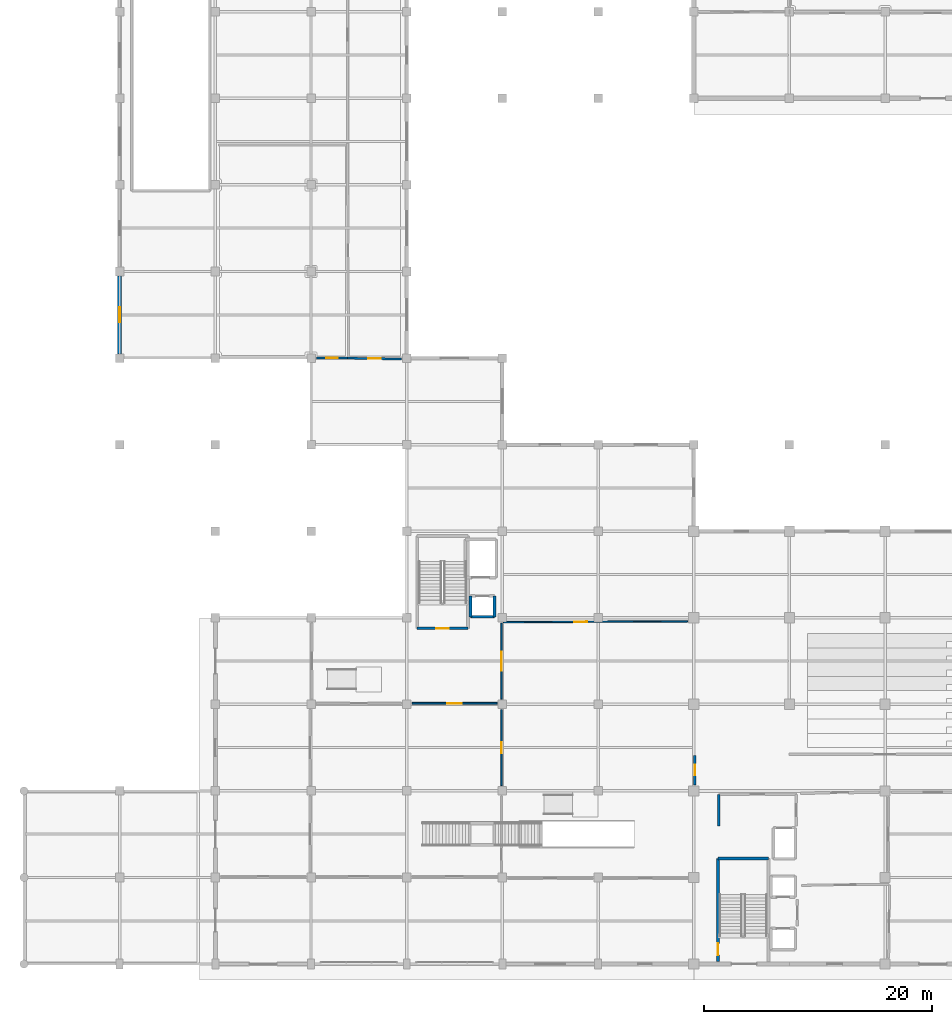
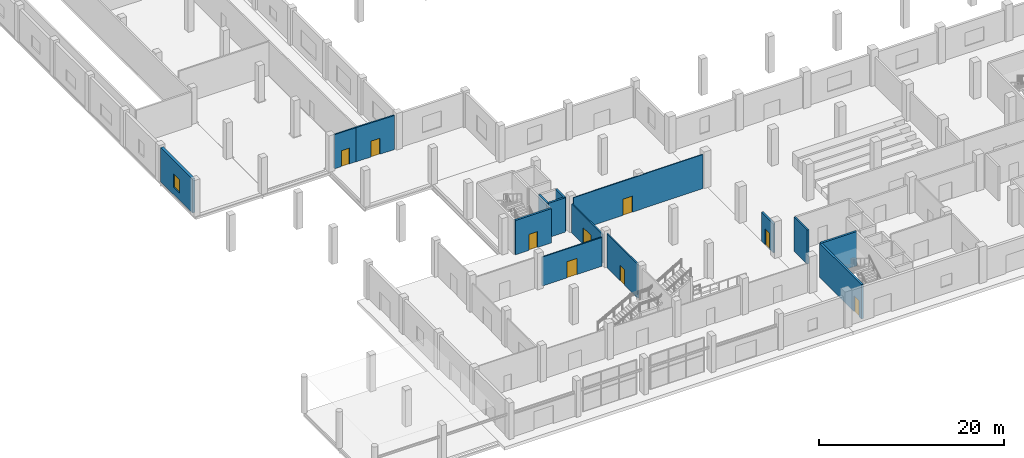
# One storey, part 16 of 36: 15 walls, 9 doors, 1 window, 10 openings.
"""IFC4 building model written with IfcOpenShell, lengths in metres."""

from ifc_helpers import new_model, si_unit, direction, frame, frame_2d, origin, place, context, subcontext, project, spatial, rectangle, extrude, material, layer, layer_set, type_object, element, fill, save


model = new_model("IFC4")

# Units and contexts
model_context = context("Model", 3, precision=1e-05, world=origin(), true_north=direction((0.0, 1.0)))
body_context = subcontext(model_context, "Body", "Model", "MODEL_VIEW")
ifc_project = project(units=[si_unit("LENGTHUNIT", "METRE"), si_unit("AREAUNIT", "SQUARE_METRE"), si_unit("VOLUMEUNIT", "CUBIC_METRE"), si_unit("PLANEANGLEUNIT", "RADIAN"), si_unit("MASSUNIT", "GRAM", prefix="KILO")], contexts=[model_context])

# Site, building, storey
site_placement = place(None, origin())
site = spatial("IfcSite", under=ifc_project, at=site_placement, CompositionType="ELEMENT")
building_placement = place(site_placement, origin())
building = spatial("IfcBuilding", under=site, at=building_placement, Name="Zuvorla Pavilion Media Centre", CompositionType="ELEMENT")
storey_placement = place(building_placement, origin())
storey = spatial("IfcBuildingStorey", under=building, at=storey_placement, Name="L00", CompositionType="ELEMENT", Elevation=0.0)

# Wall
ifc_material_1 = material(Name="Acoustic masonry blockwork C32/40", Category="masonry")
ifc_layer_1 = layer(ifc_material_1, 0.219970703125)
ifc_layer_set_1 = layer_set([ifc_layer_1], Name="Acoustic masonry blockwork C32/40")
wall_type_1 = type_object("IfcWallType", Name="WL-CMP-220", PredefinedType="SOLIDWALL", material=ifc_layer_set_1)
wall_1_placement = place(storey_placement, frame((69.0, 18.10009765625, 0.0), z_axis=(0.0, 0.0, 1.0), x_axis=(0.0, 1.0, 0.0)))
element("IfcWall", 1, at=wall_1_placement, inside=storey, type_object=wall_type_1, Name="L00 solid wall IW22 16", PredefinedType="SOLIDWALL", context=body_context, shape_type="SweptSolid", body=[
    extrude(rectangle(XDim=2.7998046875, YDim=0.219970703125, at=frame_2d((1.39990234375, 0.0))), origin(), (0.0, 0.0, 1.0), 4.5),
])

# Wall, opening, door
wall_2_placement = place(storey_placement, frame((66.890380859375, 21.739990234375, 0.0), z_axis=(0.0, 0.0, 1.0), x_axis=(0.003406490455, 0.999994197895, 0.0)))
wall_2 = element("IfcWall", 2, at=wall_2_placement, inside=storey, type_object=wall_type_1, Name="L00 solid wall IW22 388", PredefinedType="SOLIDWALL", context=body_context, shape_type="SweptSolid", body=[
    extrude(rectangle(XDim=2.580078125, YDim=0.219970703125, at=frame_2d((1.2900390625, 0.0))), origin(), (0.0, 0.0, 1.0), 3.810302734375),
])
opening_1_placement = place(wall_2_placement, frame((0.81494140625, 0.0, 0.0)))
opening_1 = element("IfcOpeningElement", 3, at=opening_1_placement, cuts=wall_2, Name="Opening FD02", PredefinedType="OPENING", context=body_context, shape_type="SweptSolid", body=[
    extrude(rectangle(XDim=0.949951171875, YDim=2.10009765625, at=frame_2d((0.47509765625, 1.050048828125))), frame((0.0, 0.119873046875, 0.0), z_axis=(0.0, -1.0, 0.0), x_axis=(1.0, 0.0, 0.0)), (0.0, 0.0, 1.0), 0.239990234375),
])
ifc_material_2 = material(Name="Acoustic timber fire door leaf in steel frame", Category="steel")
door_type_1 = type_object("IfcDoorType", Name="DR-INT-FD02", OperationType="NOTDEFINED", PredefinedType="DOOR", material=ifc_material_2)
door_1_placement = place(opening_1_placement, origin())
door_1 = element("IfcDoor", 4, at=door_1_placement, inside=storey, type_object=door_type_1, Name="Interior door FD02 132", OperationType="SINGLE_SWING_RIGHT", OverallHeight=2.10009765625, OverallWidth=0.949951171875, PredefinedType="DOOR", context=body_context, shape_type="SweptSolid", body=[
    extrude(rectangle(XDim=0.949951171875, YDim=2.10009765625, at=frame_2d((0.47509765625, 1.050048828125))), frame((0.0, 0.02490234375, 0.0), z_axis=(0.0, -1.0, 0.0), x_axis=(1.0, 0.0, 0.0)), (0.0, 0.0, 1.0), 0.050048828125),
])
fill(opening_1, door_1)

ifc_material_3 = material(Name="Concrete C40/50", Category="concrete")
ifc_layer_2 = layer(ifc_material_3, 0.25)
ifc_layer_set_2 = layer_set([ifc_layer_2], Name="Concrete C40/50")
wall_type_2 = type_object("IfcWallType", Name="WL-COR-250", PredefinedType="SHEAR", material=ifc_layer_set_2)
wall_3_placement = place(storey_placement, frame((68.925048828125, 6.22509765625, 0.0), z_axis=(0.0, 0.0, 1.0), x_axis=(0.0, 1.0, 0.0)))
wall_3 = element("IfcWall", 5, at=wall_3_placement, inside=storey, type_object=wall_type_2, Name="L00 shear wall CW25 12", PredefinedType="SHEAR", context=body_context, shape_type="SweptSolid", body=[
    extrude(rectangle(XDim=9.0498046875, YDim=0.25, at=frame_2d((4.52490234375, 0.0))), origin(), (0.0, 0.0, 1.0), 4.52001953125),
])
opening_2_placement = place(wall_3_placement, frame((0.550048828125, 0.0, 0.0)))
opening_2 = element("IfcOpeningElement", 6, at=opening_2_placement, cuts=wall_3, Name="Opening FD04", PredefinedType="OPENING", context=body_context, shape_type="SweptSolid", body=[
    extrude(rectangle(XDim=1.050048828125, YDim=2.10009765625, at=frame_2d((0.52490234375, 1.050048828125))), frame((0.0, 0.135009765625, 0.0), z_axis=(0.0, -1.0, 0.0), x_axis=(1.0, 0.0, 0.0)), (0.0, 0.0, 1.0), 0.27001953125),
])
door_type_2 = type_object("IfcDoorType", Name="DR-INT-FD04", OperationType="NOTDEFINED", PredefinedType="DOOR", material=ifc_material_2)
door_2_placement = place(opening_2_placement, origin())
door_2 = element("IfcDoor", 7, at=door_2_placement, inside=storey, type_object=door_type_2, Name="Stair ST-01 fire door FD04 5", OperationType="SINGLE_SWING_LEFT", OverallHeight=2.10009765625, OverallWidth=1.050048828125, PredefinedType="DOOR", context=body_context, shape_type="SweptSolid", body=[
    extrude(rectangle(XDim=1.050048828125, YDim=2.10009765625, at=frame_2d((0.52490234375, 1.050048828125))), frame((0.0, 0.02490234375, 0.0), z_axis=(0.0, -1.0, 0.0), x_axis=(1.0, 0.0, 0.0)), (0.0, 0.0, 1.0), 0.050048828125),
])
fill(opening_2, door_2)

# Wall
wall_4_placement = place(storey_placement, frame((68.925048828125, 15.27490234375, 0.0), z_axis=(0.0, 0.0, 1.0), x_axis=(1.0, 0.0, 0.0)))
element("IfcWall", 8, at=wall_4_placement, inside=storey, type_object=wall_type_2, Name="L00 shear wall CW25 14", PredefinedType="SHEAR", context=body_context, shape_type="SweptSolid", body=[
    extrude(rectangle(XDim=4.449951171875, YDim=0.25, at=frame_2d((2.22509765625, 0.0))), origin(), (0.0, 0.0, 1.0), 4.52001953125),
])

# Wall, opening, door
wall_5_placement = place(storey_placement, frame((42.52490234375, 35.47509765625, 0.0), z_axis=(0.0, 0.0, 1.0), x_axis=(1.0, 0.0, 0.0)))
wall_5 = element("IfcWall", 9, at=wall_5_placement, inside=storey, type_object=wall_type_2, Name="L00 shear wall CW25 244", PredefinedType="SHEAR", context=body_context, shape_type="SweptSolid", body=[
    extrude(rectangle(XDim=4.4501953125, YDim=0.25, at=frame_2d((2.22509765625, 0.0))), origin(), (0.0, 0.0, 1.0), 4.52001953125),
])
opening_3_placement = place(wall_5_placement, frame((1.64990234375, 0.0, 0.0)))
opening_3 = element("IfcOpeningElement", 10, at=opening_3_placement, cuts=wall_5, Name="Opening FD05", PredefinedType="OPENING", context=body_context, shape_type="SweptSolid", body=[
    extrude(rectangle(XDim=1.10009765625, YDim=2.10009765625, at=frame_2d((0.550048828125, 1.050048828125))), frame((0.0, 0.135009765625, 0.0), z_axis=(0.0, -1.0, 0.0), x_axis=(1.0, 0.0, 0.0)), (0.0, 0.0, 1.0), 0.27001953125),
])
door_type_3 = type_object("IfcDoorType", Name="DR-INT-FD05", OperationType="NOTDEFINED", PredefinedType="DOOR", material=ifc_material_2)
door_3_placement = place(opening_3_placement, frame((1.10009765625, 0.0, 0.0), z_axis=(0.0, 0.0, 1.0), x_axis=(-1.0, 0.0, 0.0)))
door_3 = element("IfcDoor", 11, at=door_3_placement, inside=storey, type_object=door_type_3, Name="Stair ST-03 fire door FD05 90", OperationType="SINGLE_SWING_RIGHT", OverallHeight=2.10009765625, OverallWidth=1.10009765625, PredefinedType="DOOR", context=body_context, shape_type="SweptSolid", body=[
    extrude(rectangle(XDim=1.10009765625, YDim=2.10009765625, at=frame_2d((0.550048828125, 1.050048828125))), frame((0.0, 0.02490234375, 0.0), z_axis=(0.0, -1.0, 0.0), x_axis=(1.0, 0.0, 0.0)), (0.0, 0.0, 1.0), 0.050048828125),
])
fill(opening_3, door_3)

# Walls
wall_6_placement = place(storey_placement, frame((47.18994140625, 36.489990234375, 0.0), z_axis=(0.0, 0.0, 1.0), x_axis=(1.0, 0.0, 0.0)))
element("IfcWall", 12, at=wall_6_placement, inside=storey, type_object=wall_type_2, Name="L00 shear wall CW25 265", PredefinedType="SHEAR", context=body_context, shape_type="SweptSolid", body=[
    extrude(rectangle(XDim=2.1201171875, YDim=0.25, at=frame_2d((1.06005859375, 0.0))), origin(), (0.0, 0.0, 1.0), 4.52001953125),
])
for number, where, z_axis, x_axis, name in (
    (13, (47.18994140625, 36.489990234375, 0.0), (0.0, 0.0, 1.0), (0.0, 1.0, 0.0), "L00 shear wall CW25 267"),
    (14, (49.31005859375, 36.489990234375, 0.0), (0.0, 0.0, 1.0), (0.0, 1.0, 0.0), "L00 shear wall CW25 268"),
):
    element("IfcWall", number, at=place(storey_placement, frame(where, z_axis=z_axis, x_axis=x_axis)), inside=storey, type_object=wall_type_2, Name=name, PredefinedType="SHEAR", context=body_context, shape_type="SweptSolid", body=[
        extrude(rectangle(XDim=1.820068359375, YDim=0.25, at=frame_2d((0.91015625, 0.0))), origin(), (0.0, 0.0, 1.0), 4.52001953125),
    ])

# Wall, opening, window
ifc_material_4 = material(Name="White rendered concrete C32/40", Category="concrete")
ifc_layer_3 = layer(ifc_material_4, 0.340087890625)
ifc_layer_set_3 = layer_set([ifc_layer_3], Name="White rendered concrete C32/40")
wall_type_3 = type_object("IfcWallType", Name="WL-EXT-340", PredefinedType="SOLIDWALL", material=ifc_layer_set_3)
wall_7_placement = place(storey_placement, frame((16.39990234375, 66.425048828125, 0.0), z_axis=(0.0, 0.0, 1.0), x_axis=(0.0, -1.0, 0.0)))
wall_7 = element("IfcWall", 15, at=wall_7_placement, inside=storey, type_object=wall_type_3, Name="L00 exterior solid wall EW02 155", PredefinedType="SOLIDWALL", context=body_context, shape_type="SweptSolid", body=[
    extrude(rectangle(XDim=6.85009765625, YDim=0.340087890625, at=frame_2d((3.425048828125, 0.0))), origin(), (0.0, 0.0, 1.0), 4.5),
])
opening_4_placement = place(wall_7_placement, frame((2.75, 0.0, 0.949951171875)))
opening_4 = element("IfcOpeningElement", 16, at=opening_4_placement, cuts=wall_7, Name="Opening WN09", PredefinedType="OPENING", context=body_context, shape_type="SweptSolid", body=[
    extrude(rectangle(XDim=1.35009765625, YDim=1.800048828125, at=frame_2d((0.675048828125, 0.89990234375))), frame((0.0, 0.179931640625, 0.0), z_axis=(0.0, -1.0, 0.0), x_axis=(1.0, 0.0, 0.0)), (0.0, 0.0, 1.0), 0.360107421875),
])
ifc_material_5 = material(Name="Anodised aluminium frame with solar double glazing", Category="aluminium")
window_type = type_object("IfcWindowType", Name="WIN-WN09", PartitioningType="SINGLE_PANEL", PredefinedType="WINDOW", material=ifc_material_5)
window_placement = place(opening_4_placement, origin())
window = element("IfcWindow", 17, at=window_placement, inside=storey, type_object=window_type, Name="L00 window WN09 37", OverallHeight=1.800048828125, OverallWidth=1.35009765625, PartitioningType="SINGLE_PANEL", PredefinedType="WINDOW", context=body_context, shape_type="SweptSolid", body=[
    extrude(rectangle(XDim=1.35009765625, YDim=1.800048828125, at=frame_2d((0.675048828125, 0.89990234375))), frame((0.0, 0.030029296875, 0.0), z_axis=(0.0, -1.0, 0.0), x_axis=(1.0, 0.0, 0.0)), (0.0, 0.0, 1.0), 0.06005859375),
])
fill(opening_4, window)

# Wall, opening, door
ifc_material_6 = material(Name="Lightweight gypsum partition")
ifc_layer_4 = layer(ifc_material_6, 0.1201171875)
ifc_layer_set_4 = layer_set([ifc_layer_4], Name="Lightweight gypsum partition")
wall_type_4 = type_object("IfcWallType", Name="WL-PRT-120", PredefinedType="PARTITIONING", material=ifc_layer_set_4)
wall_8_placement = place(storey_placement, frame((66.260009765625, 36.089599609375, 0.0), z_axis=(0.0, 0.0, 1.0), x_axis=(-0.999989479484, -0.004587038489, 0.0)))
wall_8 = element("IfcWall", 18, at=wall_8_placement, inside=storey, type_object=wall_type_4, Name="L00 partition PT12 392", PredefinedType="PARTITIONING", context=body_context, shape_type="SweptSolid", body=[
    extrude(rectangle(XDim=16.18017578125, YDim=0.1201171875, at=frame_2d((8.090087890625, 0.0))), origin(), (0.0, 0.0, 1.0), 4.5),
])
opening_5_placement = place(wall_8_placement, frame((8.815185546875, 0.0, 0.0)))
opening_5 = element("IfcOpeningElement", 19, at=opening_5_placement, cuts=wall_8, Name="Opening ID06", PredefinedType="OPENING", context=body_context, shape_type="SweptSolid", body=[
    extrude(rectangle(XDim=1.14990234375, YDim=2.1201171875, at=frame_2d((0.574951171875, 1.06005859375))), frame((0.0, 0.070068359375, 0.0), z_axis=(0.0, -1.0, 0.0), x_axis=(1.0, 0.0, 0.0)), (0.0, 0.0, 1.0), 0.14013671875),
])
ifc_material_7 = material(Name="Hardwood acoustic studio door in anodised frame", Category="wood")
door_type_4 = type_object("IfcDoorType", Name="DR-UNR-ID06", OperationType="NOTDEFINED", PredefinedType="DOOR", material=ifc_material_7)
door_4_placement = place(opening_5_placement, origin())
door_4 = element("IfcDoor", 20, at=door_4_placement, inside=storey, type_object=door_type_4, Name="Interior door ID06 136", OperationType="SINGLE_SWING_LEFT", OverallHeight=2.1201171875, OverallWidth=1.14990234375, PredefinedType="DOOR", context=body_context, shape_type="SweptSolid", body=[
    extrude(rectangle(XDim=1.14990234375, YDim=2.1201171875, at=frame_2d((0.574951171875, 1.06005859375))), frame((0.0, 0.02490234375, 0.0), z_axis=(0.0, -1.0, 0.0), x_axis=(1.0, 0.0, 0.0)), (0.0, 0.0, 1.0), 0.050048828125),
])
fill(opening_5, door_4)

ifc_material_8 = material(Name="Acoustic gypsum stud partition")
ifc_layer_5 = layer(ifc_material_8, 0.14990234375)
ifc_layer_set_5 = layer_set([ifc_layer_5], Name="Acoustic gypsum stud partition")
wall_type_5 = type_object("IfcWallType", Name="WL-PRT-150", PredefinedType="PARTITIONING", material=ifc_layer_set_5)
wall_9_placement = place(storey_placement, frame((49.910400390625, 35.919921875, 0.0), z_axis=(0.0, 0.0, 1.0), x_axis=(-7.3370263e-05, -0.999999997308, 0.0)))
wall_9 = element("IfcWall", 21, at=wall_9_placement, inside=storey, type_object=wall_type_5, Name="L00 partition PT15 405", PredefinedType="PARTITIONING", context=body_context, shape_type="SweptSolid", body=[
    extrude(rectangle(XDim=6.655029296875, YDim=0.14990234375, at=frame_2d((3.32763671875, 0.0))), origin(), (0.0, 0.0, 1.0), 3.810302734375),
])
opening_6_placement = place(wall_9_placement, frame((2.50244140625, 0.0, 0.0)))
opening_6 = element("IfcOpeningElement", 22, at=opening_6_placement, cuts=wall_9, Name="Opening ID10", PredefinedType="OPENING", context=body_context, shape_type="SweptSolid", body=[
    extrude(rectangle(XDim=1.64990234375, YDim=2.179931640625, at=frame_2d((0.824951171875, 1.08984375))), frame((0.0, 0.0849609375, 0.0), z_axis=(0.0, -1.0, 0.0), x_axis=(1.0, 0.0, 0.0)), (0.0, 0.0, 1.0), 0.169921875),
])
door_type_5 = type_object("IfcDoorType", Name="DR-UNR-ID10", OperationType="NOTDEFINED", PredefinedType="DOOR", material=ifc_material_7)
door_5_placement = place(opening_6_placement, origin())
door_5 = element("IfcDoor", 23, at=door_5_placement, inside=storey, type_object=door_type_5, Name="Interior door ID10 149", OperationType="DOUBLE_DOOR_SINGLE_SWING", OverallHeight=2.179931640625, OverallWidth=1.64990234375, PredefinedType="DOOR", context=body_context, shape_type="SweptSolid", body=[
    extrude(rectangle(XDim=1.64990234375, YDim=2.179931640625, at=frame_2d((0.824951171875, 1.08984375))), frame((0.0, 0.02490234375, 0.0), z_axis=(0.0, -1.0, 0.0), x_axis=(1.0, 0.0, 0.0)), (0.0, 0.0, 1.0), 0.050048828125),
])
fill(opening_6, door_5)

wall_10_placement = place(storey_placement, frame((49.909912109375, 28.3349609375, 0.0), z_axis=(0.0, 0.0, 1.0), x_axis=(0.0, -1.0, 0.0)))
wall_10 = element("IfcWall", 24, at=wall_10_placement, inside=storey, type_object=wall_type_5, Name="L00 partition PT15 415", PredefinedType="PARTITIONING", context=body_context, shape_type="SweptSolid", body=[
    extrude(rectangle(XDim=6.669921875, YDim=0.14990234375, at=frame_2d((3.3349609375, 0.0))), origin(), (0.0, 0.0, 1.0), 4.5),
])
opening_7_placement = place(wall_10_placement, frame((2.844970703125, 0.0, 0.0)))
opening_7 = element("IfcOpeningElement", 25, at=opening_7_placement, cuts=wall_10, Name="Opening ID03", PredefinedType="OPENING", context=body_context, shape_type="SweptSolid", body=[
    extrude(rectangle(XDim=0.97998046875, YDim=2.080078125, at=frame_2d((0.489990234375, 1.0400390625))), frame((0.0, 0.0849609375, 0.0), z_axis=(0.0, -1.0, 0.0), x_axis=(1.0, 0.0, 0.0)), (0.0, 0.0, 1.0), 0.169921875),
])
door_type_6 = type_object("IfcDoorType", Name="DR-UNR-ID03", OperationType="NOTDEFINED", PredefinedType="DOOR", material=ifc_material_7)
door_6_placement = place(opening_7_placement, origin())
door_6 = element("IfcDoor", 26, at=door_6_placement, inside=storey, type_object=door_type_6, Name="Interior door ID03 159", OperationType="SINGLE_SWING_LEFT", OverallHeight=2.080078125, OverallWidth=0.97998046875, PredefinedType="DOOR", context=body_context, shape_type="SweptSolid", body=[
    extrude(rectangle(XDim=0.97998046875, YDim=2.080078125, at=frame_2d((0.489990234375, 1.0400390625))), frame((0.0, 0.02490234375, 0.0), z_axis=(0.0, -1.0, 0.0), x_axis=(1.0, 0.0, 0.0)), (0.0, 0.0, 1.0), 0.050048828125),
])
fill(opening_7, door_6)

wall_11_placement = place(storey_placement, frame((49.534912109375, 28.889892578125, 0.0), z_axis=(0.0, 0.0, 1.0), x_axis=(-1.0, 0.0, 0.0)))
wall_11 = element("IfcWall", 27, at=wall_11_placement, inside=storey, type_object=wall_type_5, Name="L00 partition PT15 426", PredefinedType="PARTITIONING", context=body_context, shape_type="SweptSolid", body=[
    extrude(rectangle(XDim=7.469970703125, YDim=0.14990234375, at=frame_2d((3.73486328125, 0.0))), origin(), (0.0, 0.0, 1.0), 3.810302734375),
])
opening_8_placement = place(wall_11_placement, frame((3.110107421875, 0.0, 0.0)))
opening_8 = element("IfcOpeningElement", 28, at=opening_8_placement, cuts=wall_11, Name="Opening ID07", PredefinedType="OPENING", context=body_context, shape_type="SweptSolid", body=[
    extrude(rectangle(XDim=1.25, YDim=2.1201171875, at=frame_2d((0.625, 1.06005859375))), frame((0.0, 0.0849609375, 0.0), z_axis=(0.0, -1.0, 0.0), x_axis=(1.0, 0.0, 0.0)), (0.0, 0.0, 1.0), 0.169921875),
])
door_type_7 = type_object("IfcDoorType", Name="DR-UNR-ID07", OperationType="NOTDEFINED", PredefinedType="DOOR", material=ifc_material_7)
door_7_placement = place(opening_8_placement, origin())
door_7 = element("IfcDoor", 29, at=door_7_placement, inside=storey, type_object=door_type_7, Name="Interior door ID07 170", OperationType="SINGLE_SWING_RIGHT", OverallHeight=2.1201171875, OverallWidth=1.25, PredefinedType="DOOR", context=body_context, shape_type="SweptSolid", body=[
    extrude(rectangle(XDim=1.25, YDim=2.1201171875, at=frame_2d((0.625, 1.06005859375))), frame((0.0, 0.02490234375, 0.0), z_axis=(0.0, -1.0, 0.0), x_axis=(1.0, 0.0, 0.0)), (0.0, 0.0, 1.0), 0.050048828125),
])
fill(opening_8, door_7)

ifc_material_9 = material(Name="Double acoustic gypsum stud partition")
ifc_layer_6 = layer(ifc_material_9, 0.179931640625)
ifc_layer_set_6 = layer_set([ifc_layer_6], Name="Double acoustic gypsum stud partition")
wall_type_6 = type_object("IfcWallType", Name="WL-PRT-180", PredefinedType="PARTITIONING", material=ifc_layer_set_6)
wall_12_placement = place(storey_placement, frame((33.679931640625, 59.199951171875, 0.0), z_axis=(0.0, 0.0, 1.0), x_axis=(1.0, 0.0, 0.0)))
wall_12 = element("IfcWall", 30, at=wall_12_placement, inside=storey, type_object=wall_type_6, Name="L00 partition PT18 383", PredefinedType="PARTITIONING", context=body_context, shape_type="SweptSolid", body=[
    extrude(rectangle(XDim=2.7294921875, YDim=0.179931640625, at=frame_2d((1.36474609375, 0.0))), origin(), (0.0, 0.0, 1.0), 4.5),
])
opening_9_placement = place(wall_12_placement, frame((0.86474609375, 0.0, 0.0)))
opening_9 = element("IfcOpeningElement", 31, at=opening_9_placement, cuts=wall_12, Name="Opening FD03", PredefinedType="OPENING", context=body_context, shape_type="SweptSolid", body=[
    extrude(rectangle(XDim=1.0, YDim=2.10009765625, at=frame_2d((0.5, 1.050048828125))), frame((0.0, 0.099853515625, 0.0), z_axis=(0.0, -1.0, 0.0), x_axis=(1.0, 0.0, 0.0)), (0.0, 0.0, 1.0), 0.199951171875),
])
door_type_8 = type_object("IfcDoorType", Name="DR-INT-FD03", OperationType="NOTDEFINED", PredefinedType="DOOR", material=ifc_material_2)
door_8_placement = place(opening_9_placement, origin())
door_8 = element("IfcDoor", 32, at=door_8_placement, inside=storey, type_object=door_type_8, Name="Interior door FD03 127", OperationType="SINGLE_SWING_LEFT", OverallHeight=2.10009765625, OverallWidth=1.0, PredefinedType="DOOR", context=body_context, shape_type="SweptSolid", body=[
    extrude(rectangle(XDim=1.0, YDim=2.10009765625, at=frame_2d((0.5, 1.050048828125))), frame((0.0, 0.02490234375, 0.0), z_axis=(0.0, -1.0, 0.0), x_axis=(1.0, 0.0, 0.0)), (0.0, 0.0, 1.0), 0.050048828125),
])
fill(opening_9, door_8)

wall_13_placement = place(storey_placement, frame((36.380615234375, 59.198486328125, 0.0), z_axis=(0.0, 0.0, 1.0), x_axis=(0.9998376067, -0.018021105061, 0.0)))
wall_13 = element("IfcWall", 33, at=wall_13_placement, inside=storey, type_object=wall_type_6, Name="L00 partition PT18 418", PredefinedType="PARTITIONING", context=body_context, shape_type="SweptSolid", body=[
    extrude(rectangle(XDim=4.755126953125, YDim=0.179931640625, at=frame_2d((2.37744140625, 0.0))), origin(), (0.0, 0.0, 1.0), 4.5),
])
opening_10_placement = place(wall_13_placement, frame((1.82763671875, 0.0, 0.0)))
opening_10 = element("IfcOpeningElement", 34, at=opening_10_placement, cuts=wall_13, Name="Opening FD05", PredefinedType="OPENING", context=body_context, shape_type="SweptSolid", body=[
    extrude(rectangle(XDim=1.10009765625, YDim=2.10009765625, at=frame_2d((0.550048828125, 1.050048828125))), frame((0.0, 0.099853515625, 0.0), z_axis=(0.0, -1.0, 0.0), x_axis=(1.0, 0.0, 0.0)), (0.0, 0.0, 1.0), 0.199951171875),
])
door_9_placement = place(opening_10_placement, origin())
door_9 = element("IfcDoor", 35, at=door_9_placement, inside=storey, type_object=door_type_3, Name="Interior door FD05 162", OperationType="SINGLE_SWING_RIGHT", OverallHeight=2.10009765625, OverallWidth=1.10009765625, PredefinedType="DOOR", context=body_context, shape_type="SweptSolid", body=[
    extrude(rectangle(XDim=1.10009765625, YDim=2.10009765625, at=frame_2d((0.550048828125, 1.050048828125))), frame((0.0, 0.02490234375, 0.0), z_axis=(0.0, -1.0, 0.0), x_axis=(1.0, 0.0, 0.0)), (0.0, 0.0, 1.0), 0.050048828125),
])
fill(opening_10, door_9)

save(model, "model.ifc")
